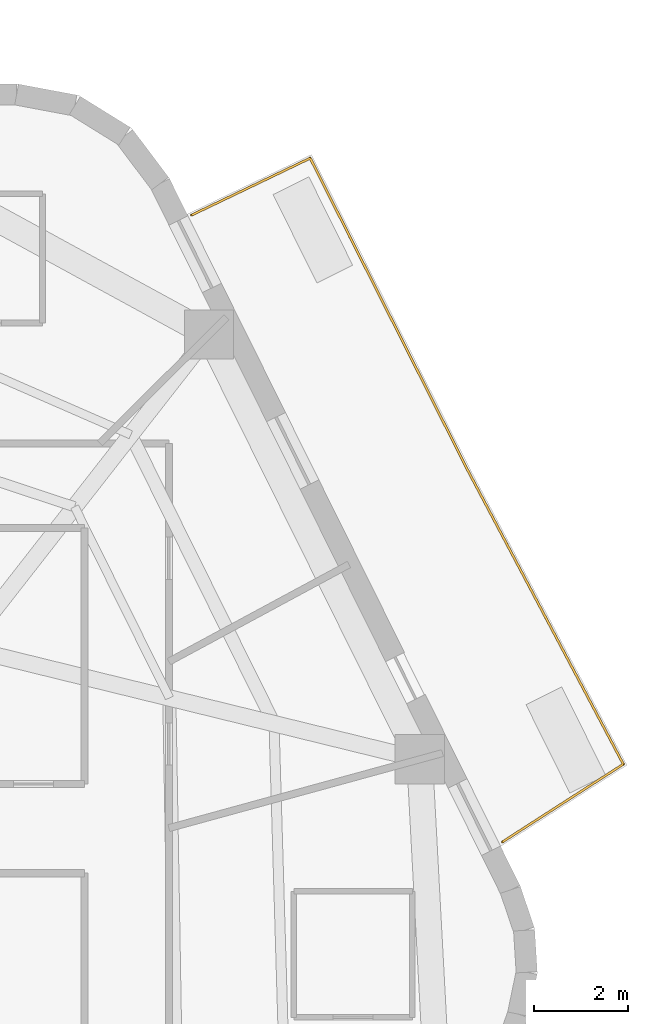
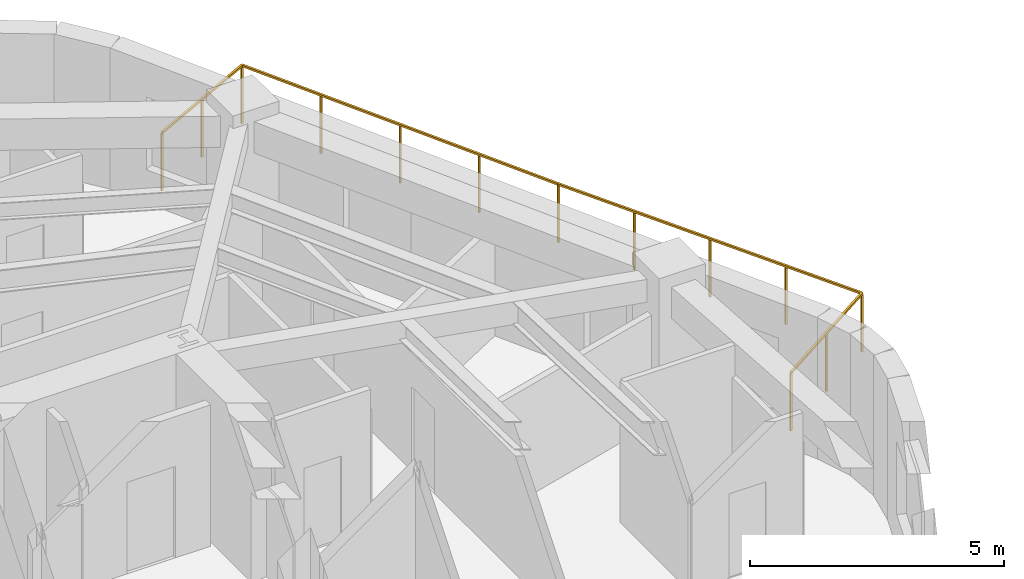
# One storey, part 10 of 10: 1 railing.
"""IFC4 building model written with IfcOpenShell, lengths in metres."""

import ifcopenshell
import ifcopenshell.guid

model = None  # the IFC model being written
_history = None  # IfcOwnerHistory: only IFC2X3 demands one
_inside = {}  # id of a spatial element -> (the spatial element, [elements in it])
_under = {}  # id of a project, library or spatial element -> (it, [spatial elements below it])
_declared = {}  # id of a project -> (the project, [libraries it declares])
_typed = {}  # id of a type object -> (the type object, [elements of that type])
_made_of = {}  # id of a material, layer set ... -> (it, [elements and type objects made of it])


def new_model(schema):
    """Start an empty IFC model of exactly this schema.

    Asked for "IFC4X3", IfcOpenShell would pick the latest addendum, in which some entities
    have other attributes; the version numbers below select the first issue.
    IFC2X3 requires an IfcOwnerHistory on every rooted entity: one is made here for all.
    """
    global model, _history
    if schema == "IFC4X3":
        model = ifcopenshell.file(schema_version=(4, 3, 0, 0))
    else:
        model = ifcopenshell.file(schema=schema)
    _inside.clear()
    _under.clear()
    _declared.clear()
    _typed.clear()
    _made_of.clear()
    _history = None
    if model.schema == "IFC2X3":
        org = make("IfcOrganization", Name="unknown")
        user = make(
            "IfcPersonAndOrganization",
            ThePerson=make("IfcPerson", FamilyName="unknown"),
            TheOrganization=org,
        )
        app = make(
            "IfcApplication",
            ApplicationDeveloper=org,
            Version="unknown",
            ApplicationFullName="unknown",
            ApplicationIdentifier="unknown",
        )
        _history = make(
            "IfcOwnerHistory",
            OwningUser=user,
            OwningApplication=app,
            ChangeAction="ADDED",
            CreationDate=0,
        )
    return model


def make(cls, **values):
    """One entity of the class cls with the attributes given. An attribute that is None is left unset."""
    return model.create_entity(
        cls, **{name: value for name, value in values.items() if value is not None}
    )


def rooted(cls, **values):
    """An entity with a GlobalId (a new one), such as an element, a storey or a relation."""
    return make(cls, GlobalId=ifcopenshell.guid.new(), OwnerHistory=_history, **values)


def si_unit(unit_type, name, prefix=None):
    """IfcSIUnit, for example si_unit("LENGTHUNIT", "METRE", prefix="MILLI")."""
    return make("IfcSIUnit", UnitType=unit_type, Prefix=prefix, Name=name)


def assignment(units):
    """IfcUnitAssignment: the units of a project."""
    return None if units is None else make("IfcUnitAssignment", Units=units)


def point(xyz):
    """IfcCartesianPoint."""
    return None if xyz is None else make("IfcCartesianPoint", Coordinates=xyz)


def direction(xyz):
    """IfcDirection."""
    return None if xyz is None else make("IfcDirection", DirectionRatios=xyz)


def frame(location, z_axis=None, x_axis=None):
    """IfcAxis2Placement3D, a coordinate frame: its origin and axes. An axis left out is left unset."""
    return make(
        "IfcAxis2Placement3D",
        Location=point(location),
        Axis=direction(z_axis),
        RefDirection=direction(x_axis),
    )


def frame_2d(location, x_axis=None):
    """IfcAxis2Placement2D, a coordinate frame in the plane: its origin and x axis."""
    return make(
        "IfcAxis2Placement2D", Location=point(location), RefDirection=direction(x_axis)
    )


def origin():
    """The frame at (0, 0, 0) with its axes left unset."""
    return frame((0.0, 0.0, 0.0))


def origin_2d():
    """The frame at (0, 0) in the plane with its x axis left unset."""
    return frame_2d((0.0, 0.0))


def place(relative_to, where):
    """IfcLocalPlacement: puts the frame where relative to a parent placement (None: the world)."""
    return make(
        "IfcLocalPlacement", PlacementRelTo=relative_to, RelativePlacement=where
    )


def context(
    kind, dimensions, precision=None, world=None, true_north=None, identifier=None
):
    """IfcGeometricRepresentationContext, for example the 3D "Model" context."""
    return make(
        "IfcGeometricRepresentationContext",
        ContextIdentifier=identifier,
        ContextType=kind,
        CoordinateSpaceDimension=dimensions,
        Precision=precision,
        WorldCoordinateSystem=world,
        TrueNorth=true_north,
    )


def subcontext(parent, identifier, kind, view, scale=None):
    """IfcGeometricRepresentationSubContext, for example "Body" below "Model"."""
    return make(
        "IfcGeometricRepresentationSubContext",
        ContextIdentifier=identifier,
        ContextType=kind,
        ParentContext=parent,
        TargetScale=scale,
        TargetView=view,
    )


def project(units=None, contexts=None):
    """IfcProject with its units and contexts."""
    return rooted(
        "IfcProject",
        Name="project",
        RepresentationContexts=contexts,
        UnitsInContext=assignment(units),
    )


def spatial(cls, under=None, at=None, **own):
    """A site, building, storey or space (cls), placed at a placement, below another one or the project."""
    s = rooted(cls, ObjectPlacement=at, **own)
    if under is not None:
        _under.setdefault(under.id(), (under, []))[1].append(s)
    return s


def profile(cls, at=None, kind="AREA", **sizes):
    """A parametric profile (cls). Its sizes go by their IFC names, for example OverallWidth=200.0."""
    return make(cls, ProfileType=kind, Position=at, **sizes)


def rectangle(**sizes):
    """IfcRectangleProfileDef."""
    return profile("IfcRectangleProfileDef", **sizes)


def extrude(swept, where, along, depth):
    """IfcExtrudedAreaSolid: the profile swept, set in the frame where, extruded along a direction by depth."""
    return make(
        "IfcExtrudedAreaSolid",
        SweptArea=swept,
        Position=where,
        ExtrudedDirection=direction(along),
        Depth=depth,
    )


def shape(context_of_items, identifier, shape_type, items):
    """IfcShapeRepresentation: the items that make up one representation, for example the "Body"."""
    return make(
        "IfcShapeRepresentation",
        ContextOfItems=context_of_items,
        RepresentationIdentifier=identifier,
        RepresentationType=shape_type,
        Items=items,
    )


def material(Name=None, Category=None):
    """IfcMaterial."""
    return make("IfcMaterial", Name=Name, Category=Category)


def layer(
    of_material, thickness, ventilated=None, Name=None, Category=None, Priority=None
):
    """IfcMaterialLayer: one layer of a wall or slab, of a material (None: an air gap)."""
    return make(
        "IfcMaterialLayer",
        Material=of_material,
        LayerThickness=thickness,
        IsVentilated=ventilated,
        Name=Name,
        Category=Category,
        Priority=Priority,
    )


def layer_set(layers, Name=None):
    """IfcMaterialLayerSet."""
    return make("IfcMaterialLayerSet", MaterialLayers=layers, LayerSetName=Name)


def made_of(thing, what):
    """Note that an element or type object is made of a material, layer set ...; save() writes the relation."""
    if what is not None:
        _made_of.setdefault(what.id(), (what, []))[1].append(thing)
    return thing


def type_object(cls, material=None, **own):
    """A type object (cls), such as IfcWallType, which elements share."""
    return made_of(rooted(cls, **own), material)


def element(
    cls,
    number,
    at=None,
    inside=None,
    cuts=None,
    type_object=None,
    material=None,
    context=None,
    identifier="Body",
    shape_type=None,
    held_by="IfcProductDefinitionShape",
    body=None,
    shapes=None,
    **own,
):
    """One element of the class cls, such as IfcWall. Its Tag is "e" and its number.

    at: its placement. inside: the storey or other place that contains it. cuts: it is an
    opening in that element (IfcRelVoidsElement). A single representation is given by context,
    identifier, shape_type and body (its items); several are given by shapes. held_by: the class
    of the entity that holds the representations. save() writes the other relations.
    """
    e = rooted(cls, Tag="e%d" % number, ObjectPlacement=at, **own)
    if body is not None:
        shapes = [shape(context, identifier, shape_type, body)]
    if shapes is not None:
        e.Representation = make(held_by, Representations=shapes)
    if inside is not None:
        _inside.setdefault(inside.id(), (inside, []))[1].append(e)
    if cuts is not None:
        rooted(
            "IfcRelVoidsElement", RelatingBuildingElement=cuts, RelatedOpeningElement=e
        )
    if type_object is not None:
        _typed.setdefault(type_object.id(), (type_object, []))[1].append(e)
    return made_of(e, material)


def aggregate(whole, parts):
    """IfcRelAggregates: a whole, such as a stair, and the parts it consists of."""
    return rooted("IfcRelAggregates", RelatingObject=whole, RelatedObjects=parts)


def save(model, path):
    """Write the relations noted so far, then the file.

    IfcRelAggregates (storeys below a building ...), IfcRelContainedInSpatialStructure (elements
    in a storey), IfcRelDefinesByType, IfcRelAssociatesMaterial and IfcRelDeclares: one each for
    every whole, place, type object, material and project.
    """
    for whole, parts in _under.values():
        aggregate(whole, parts)
    for where, things in _inside.values():
        rooted(
            "IfcRelContainedInSpatialStructure",
            RelatedElements=things,
            RelatingStructure=where,
        )
    for kind, things in _typed.values():
        rooted("IfcRelDefinesByType", RelatedObjects=things, RelatingType=kind)
    for what, things in _made_of.values():
        rooted("IfcRelAssociatesMaterial", RelatedObjects=things, RelatingMaterial=what)
    for by, libraries in _declared.values():
        rooted("IfcRelDeclares", RelatingContext=by, RelatedDefinitions=libraries)
    model.write(path)


model = new_model("IFC4")

# Units and contexts
model_context = context("Model", 3, precision=1e-05, world=origin(), true_north=direction((0.0, 1.0)))
body_context = subcontext(model_context, "Body", "Model", "MODEL_VIEW")
ifc_project = project(units=[si_unit("LENGTHUNIT", "METRE"), si_unit("AREAUNIT", "SQUARE_METRE"), si_unit("VOLUMEUNIT", "CUBIC_METRE"), si_unit("PLANEANGLEUNIT", "RADIAN"), si_unit("MASSUNIT", "GRAM", prefix="KILO")], contexts=[model_context])

# Site, building, storey
site_placement = place(None, origin())
site = spatial("IfcSite", under=ifc_project, at=site_placement, CompositionType="ELEMENT")
building_placement = place(site_placement, origin())
building = spatial("IfcBuilding", under=site, at=building_placement, Name="Kilnhurst Terrace Hotel", CompositionType="ELEMENT")
storey_placement = place(building_placement, frame((0.0, 0.0, 190.39990234375)))
storey = spatial("IfcBuildingStorey", under=building, at=storey_placement, Name="L47", CompositionType="ELEMENT", Elevation=190.39990234375)

# Railing
ifc_material = material(Name="Laminated SentryGlas and Stainless Steel AISI 316L Balustrade", Category="steel")
ifc_layer = layer(ifc_material, 0.070068359375, Name="Laminated SentryGlas and Stainless Steel AISI 316L Balustrade")
ifc_layer_set = layer_set([ifc_layer], Name="Laminated SentryGlas and Stainless Steel AISI 316L Balustrade")
railing_type = type_object("IfcRailingType", Name="RLG-BAL-1420", PredefinedType="BALUSTRADE", material=ifc_layer_set)
railing_placement = place(storey_placement, frame((13.83544921875, 16.709716796875, 0.0)))
element("IfcRailing", 1, at=railing_placement, inside=storey, type_object=railing_type, Name="L47 Exterior Terrace Guardrail BAL-L1A.1", PredefinedType="BALUSTRADE", context=body_context, shape_type="SweptSolid", body=[
    extrude(rectangle(XDim=0.048095703125, YDim=0.048095703125, at=origin_2d()), frame((0.0, 0.0, 1.39599609375), z_axis=(0.901469931109, 0.43284173009, 0.0), x_axis=(-0.43284173009, 0.901469931109, 0.0)), (0.0, 0.0, 1.0), 2.797119140625),
    extrude(rectangle(XDim=0.048095703125, YDim=0.048095703125, at=origin_2d()), frame((2.521484375, 1.210693359375, 1.39599609375), z_axis=(0.450616671131, -0.892717545307, 0.0), x_axis=(0.892717545307, 0.450616671131, 0.0)), (0.0, 0.0, 1.0), 7.453857421875),
    extrude(rectangle(XDim=0.048095703125, YDim=0.048095703125, at=origin_2d()), frame((5.88037109375, -5.443603515625, 1.39599609375), z_axis=(0.4472135955, -0.894427191, 0.0), x_axis=(0.894427191, 0.4472135955, 0.0)), (0.0, 0.0, 1.0), 0.0009765625),
    extrude(rectangle(XDim=0.048095703125, YDim=0.048095703125, at=origin_2d()), frame((5.880859375, -5.444580078125, 1.39599609375), z_axis=(0.46789407085, -0.883784554325, 0.0), x_axis=(0.883784554325, 0.46789407085, 0.0)), (0.0, 0.0, 1.0), 7.0654296875),
    extrude(rectangle(XDim=0.048095703125, YDim=0.048095703125, at=origin_2d()), frame((9.186767578125, -11.68896484375, 1.39599609375), z_axis=(-0.841139546062, -0.540818143233, 0.0), x_axis=(0.540818143233, -0.841139546062, 0.0)), (0.0, 0.0, 1.0), 3.056640625),
    extrude(rectangle(XDim=0.0419921875, YDim=0.0419921875, at=origin_2d()), origin(), (0.0, 0.0, 1.0), 1.371826171875),
    extrude(rectangle(XDim=0.0419921875, YDim=0.0419921875, at=origin_2d()), frame((1.2607421875, 0.60546875, 0.0)), (0.0, 0.0, 1.0), 1.371826171875),
    extrude(rectangle(XDim=0.0419921875, YDim=0.0419921875, at=origin_2d()), frame((2.521484375, 1.210693359375, 0.0)), (0.0, 0.0, 1.0), 1.371826171875),
    extrude(rectangle(XDim=0.0419921875, YDim=0.0419921875, at=origin_2d()), frame((3.361328125, -0.452880859375, 0.0)), (0.0, 0.0, 1.0), 1.371826171875),
    extrude(rectangle(XDim=0.0419921875, YDim=0.0419921875, at=origin_2d()), frame((4.200927734375, -2.116455078125, 0.0)), (0.0, 0.0, 1.0), 1.371826171875),
    extrude(rectangle(XDim=0.0419921875, YDim=0.0419921875, at=origin_2d()), frame((5.04052734375, -3.780029296875, 0.0)), (0.0, 0.0, 1.0), 1.371826171875),
    extrude(rectangle(XDim=0.0419921875, YDim=0.0419921875, at=origin_2d()), frame((5.88037109375, -5.443603515625, 0.0)), (0.0, 0.0, 1.0), 1.371826171875),
    extrude(rectangle(XDim=0.0419921875, YDim=0.0419921875, at=origin_2d()), frame((5.880859375, -5.444580078125, 0.0)), (0.0, 0.0, 1.0), 1.371826171875),
    extrude(rectangle(XDim=0.0419921875, YDim=0.0419921875, at=origin_2d()), frame((6.707275390625, -7.005615234375, 0.0)), (0.0, 0.0, 1.0), 1.371826171875),
    extrude(rectangle(XDim=0.0419921875, YDim=0.0419921875, at=origin_2d()), frame((7.53369140625, -8.56689453125, 0.0)), (0.0, 0.0, 1.0), 1.371826171875),
    extrude(rectangle(XDim=0.0419921875, YDim=0.0419921875, at=origin_2d()), frame((8.3603515625, -10.1279296875, 0.0)), (0.0, 0.0, 1.0), 1.371826171875),
    extrude(rectangle(XDim=0.0419921875, YDim=0.0419921875, at=origin_2d()), frame((9.186767578125, -11.68896484375, 0.0)), (0.0, 0.0, 1.0), 1.371826171875),
    extrude(rectangle(XDim=0.0419921875, YDim=0.0419921875, at=origin_2d()), frame((7.9013671875, -12.515625, 0.0)), (0.0, 0.0, 1.0), 1.371826171875),
    extrude(rectangle(XDim=0.0419921875, YDim=0.0419921875, at=origin_2d()), frame((6.61572265625, -13.342041015625, 0.0)), (0.0, 0.0, 1.0), 1.371826171875),
])

save(model, "model.ifc")
